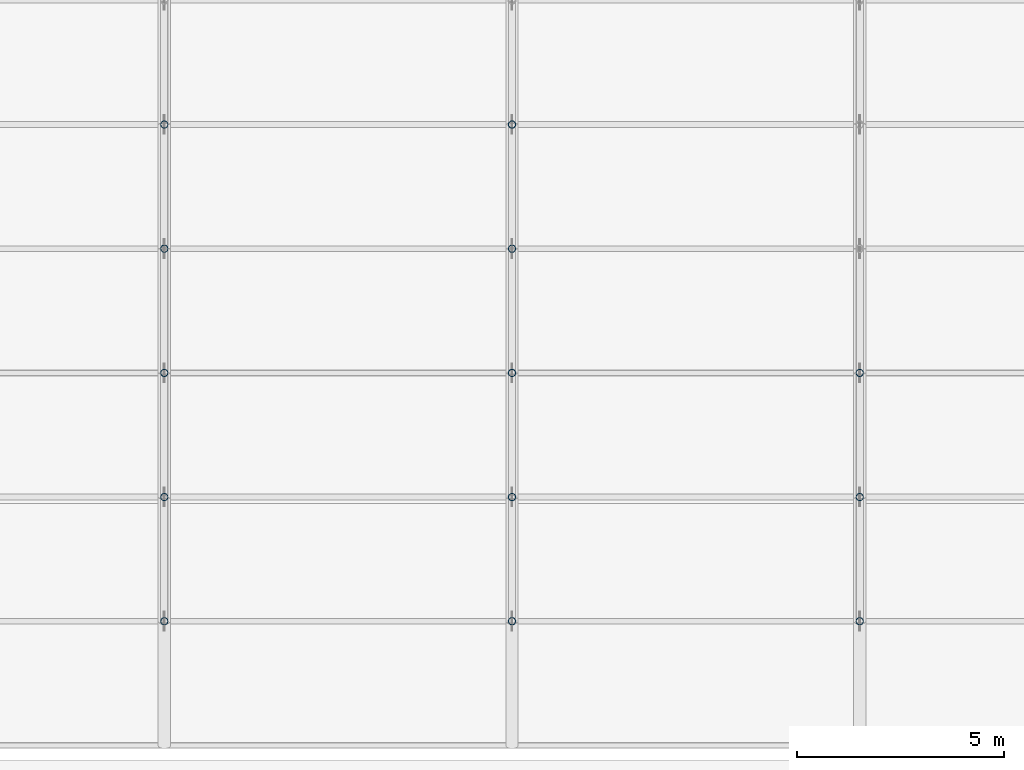
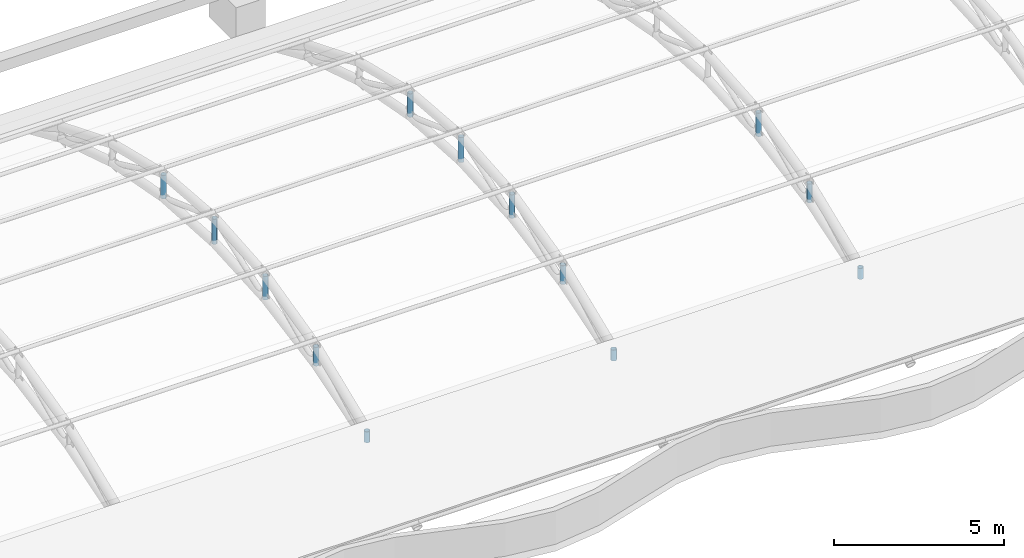
# One storey, part 72 of 163: 13 members.
"""IFC4 building model written with IfcOpenShell, lengths in metres."""

from ifc_helpers import new_model, si_unit, direction, frame, origin, origin_2d, place, context, subcontext, project, spatial, hollow_circle, extrude, material, material_profile, profile_set, type_object, element, save


model = new_model("IFC4")

# Units and contexts
model_context = context("Model", 3, precision=1e-05, world=origin(), true_north=direction((0.0, 1.0)))
body_context = subcontext(model_context, "Body", "Model", "MODEL_VIEW")
ifc_project = project(units=[si_unit("LENGTHUNIT", "METRE"), si_unit("AREAUNIT", "SQUARE_METRE"), si_unit("VOLUMEUNIT", "CUBIC_METRE"), si_unit("PLANEANGLEUNIT", "RADIAN"), si_unit("MASSUNIT", "GRAM", prefix="KILO")], contexts=[model_context])

# Site, building, storey
site_placement = place(None, origin())
site = spatial("IfcSite", under=ifc_project, at=site_placement, CompositionType="ELEMENT")
building_placement = place(site_placement, origin())
building = spatial("IfcBuilding", under=site, at=building_placement, Name="Rain Tree Exposition and Congress Centre", CompositionType="ELEMENT")
storey_placement = place(building_placement, frame((0.0, 0.0, 10.5)))
storey = spatial("IfcBuildingStorey", under=building, at=storey_placement, Name="L02", CompositionType="ELEMENT", Elevation=10.5)

# Members
ifc_material = material(Name="Steel S355J2H", Category="steel")
ifc_material_profile = material_profile(ifc_material, hollow_circle(Radius=0.090087890625, WallThickness=0.008056640625, at=origin_2d()), Name="CHS 180x8")
ifc_profile_set = profile_set([ifc_material_profile], Name="Steel S355J2H")
member_type = type_object("IfcMemberType", Name="Steel post member CHS 180x8", PredefinedType="POST", material=ifc_profile_set)
member_1_placement = place(storey_placement, frame((67.199951171875, 78.60009765625, 1.4423828125), z_axis=(0.0, 0.0, 1.0), x_axis=(1.0, 0.0, 0.0)))
element("IfcMember", 1, at=member_1_placement, inside=storey, type_object=member_type, Name="Roof truss 9 post 1", PredefinedType="POST", context=body_context, shape_type="SweptSolid", body=[
    extrude(hollow_circle(Radius=0.090087890625, WallThickness=0.008056640625, at=origin_2d()), origin(), (0.0, 0.0, 1.0), 0.393798828125),
])
member_2_placement = place(storey_placement, frame((67.199951171875, 81.60009765625, 2.3798828125), z_axis=(0.0, 0.0, 1.0), x_axis=(1.0, 0.0, 0.0)))
element("IfcMember", 2, at=member_2_placement, inside=storey, type_object=member_type, Name="Roof truss 9 post 2", PredefinedType="POST", context=body_context, shape_type="SweptSolid", body=[
    extrude(hollow_circle(Radius=0.090087890625, WallThickness=0.008056640625, at=origin_2d()), origin(), (0.0, 0.0, 1.0), 0.675048828125),
])
member_3_placement = place(storey_placement, frame((67.199951171875, 84.60009765625, 2.9423828125), z_axis=(0.0, 0.0, 1.0), x_axis=(1.0, 0.0, 0.0)))
element("IfcMember", 3, at=member_3_placement, inside=storey, type_object=member_type, Name="Roof truss 9 post 3", PredefinedType="POST", context=body_context, shape_type="SweptSolid", body=[
    extrude(hollow_circle(Radius=0.090087890625, WallThickness=0.008056640625, at=origin_2d()), origin(), (0.0, 0.0, 1.0), 0.843994140625),
])
member_4_placement = place(storey_placement, frame((67.199951171875, 87.60009765625, 3.1298828125), z_axis=(0.0, 0.0, 1.0), x_axis=(1.0, 0.0, 0.0)))
element("IfcMember", 4, at=member_4_placement, inside=storey, type_object=member_type, Name="Roof truss 9 post 4", PredefinedType="POST", context=body_context, shape_type="SweptSolid", body=[
    extrude(hollow_circle(Radius=0.090087890625, WallThickness=0.008056640625, at=origin_2d()), origin(), (0.0, 0.0, 1.0), 0.900146484375),
])
member_5_placement = place(storey_placement, frame((67.199951171875, 90.60009765625, 2.9423828125), z_axis=(0.0, 0.0, 1.0), x_axis=(1.0, 0.0, 0.0)))
element("IfcMember", 5, at=member_5_placement, inside=storey, type_object=member_type, Name="Roof truss 9 post 5", PredefinedType="POST", context=body_context, shape_type="SweptSolid", body=[
    extrude(hollow_circle(Radius=0.090087890625, WallThickness=0.008056640625, at=origin_2d()), origin(), (0.0, 0.0, 1.0), 0.843994140625),
])
member_6_placement = place(storey_placement, frame((75.60009765625, 78.60009765625, 1.4423828125), z_axis=(0.0, 0.0, 1.0), x_axis=(1.0, 0.0, 0.0)))
element("IfcMember", 6, at=member_6_placement, inside=storey, type_object=member_type, Name="Roof truss 10 post 1", PredefinedType="POST", context=body_context, shape_type="SweptSolid", body=[
    extrude(hollow_circle(Radius=0.090087890625, WallThickness=0.008056640625, at=origin_2d()), origin(), (0.0, 0.0, 1.0), 0.393798828125),
])
member_7_placement = place(storey_placement, frame((75.60009765625, 81.60009765625, 2.3798828125), z_axis=(0.0, 0.0, 1.0), x_axis=(1.0, 0.0, 0.0)))
element("IfcMember", 7, at=member_7_placement, inside=storey, type_object=member_type, Name="Roof truss 10 post 2", PredefinedType="POST", context=body_context, shape_type="SweptSolid", body=[
    extrude(hollow_circle(Radius=0.090087890625, WallThickness=0.008056640625, at=origin_2d()), origin(), (0.0, 0.0, 1.0), 0.675048828125),
])
member_8_placement = place(storey_placement, frame((75.60009765625, 84.60009765625, 2.9423828125), z_axis=(0.0, 0.0, 1.0), x_axis=(1.0, 0.0, 0.0)))
element("IfcMember", 8, at=member_8_placement, inside=storey, type_object=member_type, Name="Roof truss 10 post 3", PredefinedType="POST", context=body_context, shape_type="SweptSolid", body=[
    extrude(hollow_circle(Radius=0.090087890625, WallThickness=0.008056640625, at=origin_2d()), origin(), (0.0, 0.0, 1.0), 0.843994140625),
])
member_9_placement = place(storey_placement, frame((75.60009765625, 87.60009765625, 3.1298828125), z_axis=(0.0, 0.0, 1.0), x_axis=(1.0, 0.0, 0.0)))
element("IfcMember", 9, at=member_9_placement, inside=storey, type_object=member_type, Name="Roof truss 10 post 4", PredefinedType="POST", context=body_context, shape_type="SweptSolid", body=[
    extrude(hollow_circle(Radius=0.090087890625, WallThickness=0.008056640625, at=origin_2d()), origin(), (0.0, 0.0, 1.0), 0.900146484375),
])
member_10_placement = place(storey_placement, frame((75.60009765625, 90.60009765625, 2.9423828125), z_axis=(0.0, 0.0, 1.0), x_axis=(1.0, 0.0, 0.0)))
element("IfcMember", 10, at=member_10_placement, inside=storey, type_object=member_type, Name="Roof truss 10 post 5", PredefinedType="POST", context=body_context, shape_type="SweptSolid", body=[
    extrude(hollow_circle(Radius=0.090087890625, WallThickness=0.008056640625, at=origin_2d()), origin(), (0.0, 0.0, 1.0), 0.843994140625),
])
member_11_placement = place(storey_placement, frame((84.0, 78.60009765625, 1.4423828125), z_axis=(0.0, 0.0, 1.0), x_axis=(1.0, 0.0, 0.0)))
element("IfcMember", 11, at=member_11_placement, inside=storey, type_object=member_type, Name="Roof truss 11 post 1", PredefinedType="POST", context=body_context, shape_type="SweptSolid", body=[
    extrude(hollow_circle(Radius=0.090087890625, WallThickness=0.008056640625, at=origin_2d()), origin(), (0.0, 0.0, 1.0), 0.393798828125),
])
member_12_placement = place(storey_placement, frame((84.0, 81.60009765625, 2.3798828125), z_axis=(0.0, 0.0, 1.0), x_axis=(1.0, 0.0, 0.0)))
element("IfcMember", 12, at=member_12_placement, inside=storey, type_object=member_type, Name="Roof truss 11 post 2", PredefinedType="POST", context=body_context, shape_type="SweptSolid", body=[
    extrude(hollow_circle(Radius=0.090087890625, WallThickness=0.008056640625, at=origin_2d()), origin(), (0.0, 0.0, 1.0), 0.675048828125),
])
member_13_placement = place(storey_placement, frame((84.0, 84.60009765625, 2.9423828125), z_axis=(0.0, 0.0, 1.0), x_axis=(1.0, 0.0, 0.0)))
element("IfcMember", 13, at=member_13_placement, inside=storey, type_object=member_type, Name="Roof truss 11 post 3", PredefinedType="POST", context=body_context, shape_type="SweptSolid", body=[
    extrude(hollow_circle(Radius=0.090087890625, WallThickness=0.008056640625, at=origin_2d()), origin(), (0.0, 0.0, 1.0), 0.843994140625),
])

save(model, "model.ifc")
